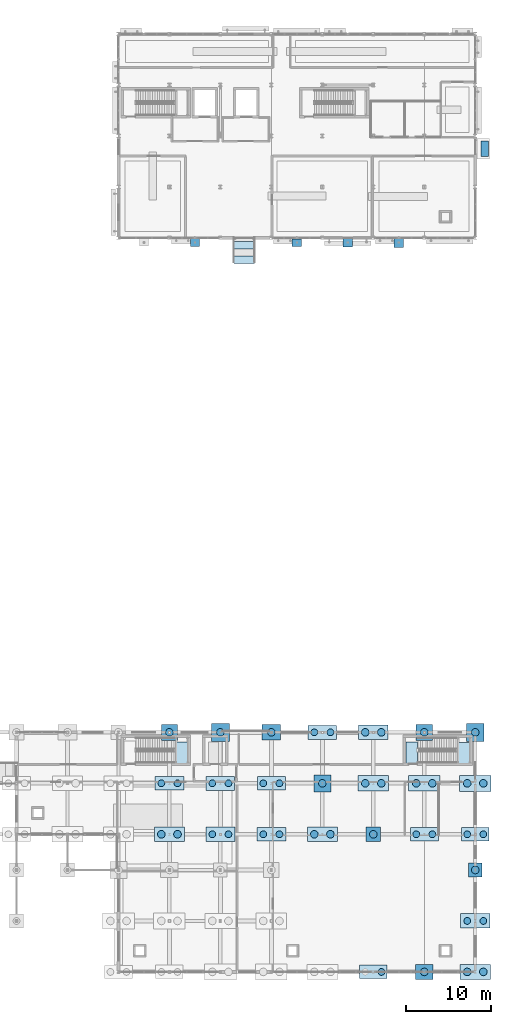
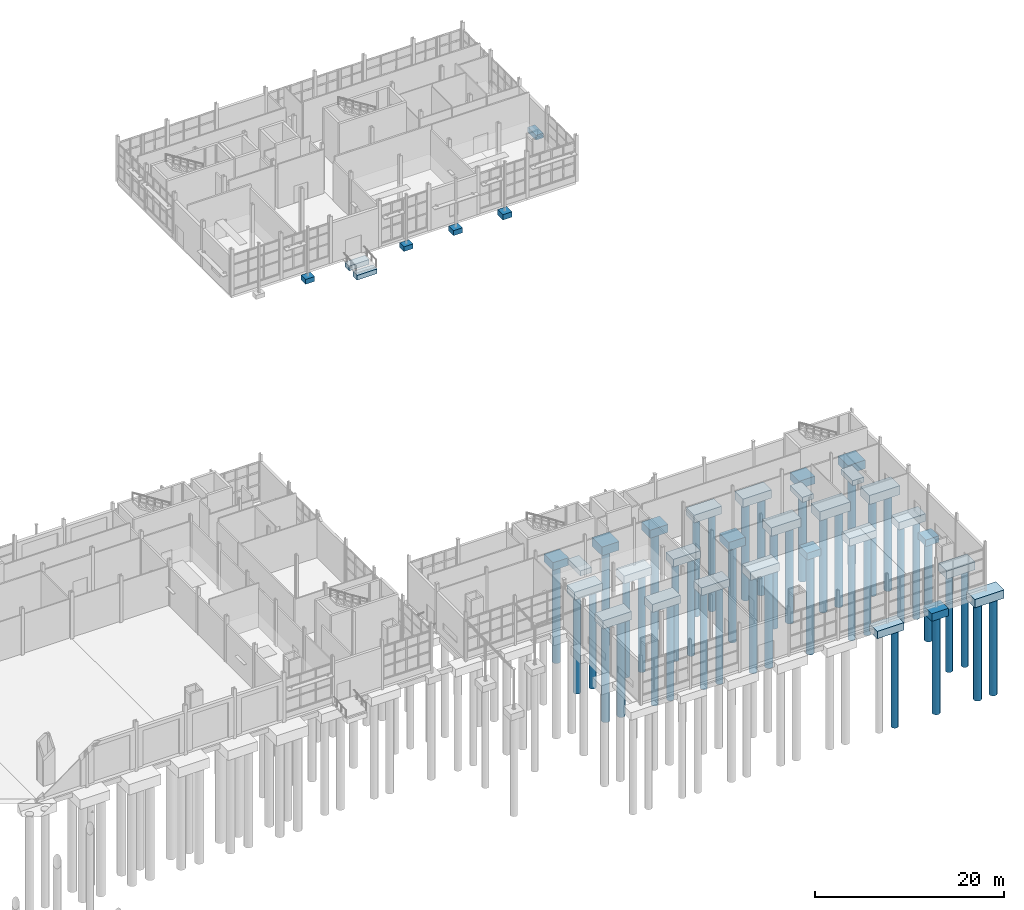
# One storey, part 7 of 120: 42 piles, 36 footings.
"""IFC4 building model written with IfcOpenShell, lengths in metres."""

from ifc_helpers import new_model, si_unit, direction, frame, origin, origin_2d, place, context, subcontext, project, spatial, rectangle, circle, extrude, material, material_profile, profile_set, type_object, element, save


model = new_model("IFC4")

# Units and contexts
model_context = context("Model", 3, precision=1e-05, world=origin(), true_north=direction((0.0, 1.0)))
body_context = subcontext(model_context, "Body", "Model", "MODEL_VIEW")
ifc_project = project(units=[si_unit("LENGTHUNIT", "METRE"), si_unit("AREAUNIT", "SQUARE_METRE"), si_unit("VOLUMEUNIT", "CUBIC_METRE"), si_unit("PLANEANGLEUNIT", "RADIAN"), si_unit("MASSUNIT", "GRAM", prefix="KILO")], contexts=[model_context])

# Site, building, storey
site_placement = place(None, origin())
site = spatial("IfcSite", under=ifc_project, at=site_placement, CompositionType="ELEMENT")
building_placement = place(site_placement, origin())
building = spatial("IfcBuilding", under=site, at=building_placement, Name="Siltcreek Boulevard Central Fire Station", CompositionType="ELEMENT")
storey_placement = place(building_placement, origin())
storey = spatial("IfcBuildingStorey", under=building, at=storey_placement, Name="L01", CompositionType="ELEMENT", Elevation=0.0)

# Footings
ifc_material = material(Name="Concrete C35/45", Category="concrete")
footing_type_1 = type_object("IfcFootingType", Name="PC_160X160X084", PredefinedType="PILE_CAP", material=ifc_material)
footing_1_placement = place(storey_placement, frame((166.199951171875, 13.800048828125, -1.25), z_axis=(0.0, 0.0, 1.0), x_axis=(1.0, 0.0, 0.0)))
element("IfcFooting", 1, at=footing_1_placement, inside=storey, type_object=footing_type_1, Name="Reinforced concrete pile cap PC-213", PredefinedType="PILE_CAP", context=body_context, shape_type="SweptSolid", body=[
    extrude(rectangle(XDim=1.60009765625, YDim=1.60009765625, at=origin_2d()), origin(), (0.0, 0.0, 1.0), 0.840087890625),
])
footing_type_2 = type_object("IfcFootingType", Name="PC_170X170X088", PredefinedType="PILE_CAP", material=ifc_material)
footing_2_placement = place(storey_placement, frame((154.199951171875, 18.0, -1.2900390625), z_axis=(0.0, 0.0, 1.0), x_axis=(1.0, 0.0, 0.0)))
element("IfcFooting", 2, at=footing_2_placement, inside=storey, type_object=footing_type_2, Name="Reinforced concrete pile cap PC-204", PredefinedType="PILE_CAP", context=body_context, shape_type="SweptSolid", body=[
    extrude(rectangle(XDim=1.699951171875, YDim=1.699951171875, at=origin_2d()), origin(), (0.0, 0.0, 1.0), 0.8798828125),
])
footing_type_3 = type_object("IfcFootingType", Name="PC_190X190X100", PredefinedType="PILE_CAP", material=ifc_material)
for number, where, z_axis, x_axis, name in (
    (3, (130.199951171875, 30.0, -1.409912109375), (0.0, 0.0, 1.0), (1.0, 0.0, 0.0), "Reinforced concrete pile cap PC-186"),
    (4, (160.199951171875, 30.0, -1.409912109375), (0.0, 0.0, 1.0), (1.0, 0.0, 0.0), "Reinforced concrete pile cap PC-210"),
):
    element("IfcFooting", number, at=place(storey_placement, frame(where, z_axis=z_axis, x_axis=x_axis)), inside=storey, type_object=footing_type_3, Name=name, PredefinedType="PILE_CAP", context=body_context, shape_type="SweptSolid", body=[
        extrude(rectangle(XDim=1.89990234375, YDim=1.89990234375, at=origin_2d()), origin(), (0.0, 0.0, 1.0), 1.0),
    ])
footing_type_4 = type_object("IfcFootingType", Name="PC_200X200X106", PredefinedType="PILE_CAP", material=ifc_material)
footing_3_placement = place(storey_placement, frame((148.199951171875, 24.0, -1.469970703125), z_axis=(0.0, 0.0, 1.0), x_axis=(1.0, 0.0, 0.0)))
element("IfcFooting", 5, at=footing_3_placement, inside=storey, type_object=footing_type_4, Name="Reinforced concrete pile cap PC-201", PredefinedType="PILE_CAP", context=body_context, shape_type="SweptSolid", body=[
    extrude(rectangle(XDim=2.0, YDim=2.0, at=origin_2d()), origin(), (0.0, 0.0, 1.0), 1.06005859375),
])
footing_type_5 = type_object("IfcFootingType", Name="PC_205X175X098", PredefinedType="PILE_CAP", material=ifc_material)
footing_4_placement = place(storey_placement, frame((160.199951171875, 1.800048828125, -1.389892578125), z_axis=(0.0, 0.0, 1.0), x_axis=(1.0, 0.0, 0.0)))
element("IfcFooting", 6, at=footing_4_placement, inside=storey, type_object=footing_type_5, Name="Reinforced concrete pile cap PC-207", PredefinedType="PILE_CAP", context=body_context, shape_type="SweptSolid", body=[
    extrude(rectangle(XDim=2.050048828125, YDim=1.75, at=origin_2d()), origin(), (0.0, 0.0, 1.0), 0.97998046875),
])
footing_type_6 = type_object("IfcFootingType", Name="PC_210X210X112", PredefinedType="PILE_CAP", material=ifc_material)
for number, where, z_axis, x_axis, name in (
    (7, (136.199951171875, 30.0, -1.530029296875), (0.0, 0.0, 1.0), (1.0, 0.0, 0.0), "Reinforced concrete pile cap PC-192"),
    (8, (166.199951171875, 30.0, -1.530029296875), (0.0, 0.0, 1.0), (1.0, 0.0, 0.0), "Reinforced concrete pile cap PC-216"),
):
    element("IfcFooting", number, at=place(storey_placement, frame(where, z_axis=z_axis, x_axis=x_axis)), inside=storey, type_object=footing_type_6, Name=name, PredefinedType="PILE_CAP", context=body_context, shape_type="SweptSolid", body=[
        extrude(rectangle(XDim=2.10009765625, YDim=2.10009765625, at=origin_2d()), origin(), (0.0, 0.0, 1.0), 1.1201171875),
    ])
footing_type_7 = type_object("IfcFootingType", Name="PC_220X180X104", PredefinedType="PILE_CAP", material=ifc_material)
footing_5_placement = place(storey_placement, frame((142.199951171875, 30.0, -1.449951171875), z_axis=(0.0, 0.0, 1.0), x_axis=(1.0, 0.0, 0.0)))
element("IfcFooting", 9, at=footing_5_placement, inside=storey, type_object=footing_type_7, Name="Reinforced concrete pile cap PC-198", PredefinedType="PILE_CAP", context=body_context, shape_type="SweptSolid", body=[
    extrude(rectangle(XDim=2.199951171875, YDim=1.800048828125, at=origin_2d()), origin(), (0.0, 0.0, 1.0), 1.0400390625),
])
footing_type_8 = type_object("IfcFootingType", Name="PC_325X160X096", PredefinedType="PILE_CAP", material=ifc_material)
for number, where, z_axis, x_axis, name in (
    (10, (154.199951171875, 1.800048828125, -1.369873046875), (0.0, 0.0, 1.0), (1.0, 0.0, 0.0), "Reinforced concrete pile cap PC-203"),
    (11, (166.199951171875, 18.0, -1.369873046875), (0.0, 0.0, 1.0), (1.0, 0.0, 0.0), "Reinforced concrete pile cap PC-214"),
):
    element("IfcFooting", number, at=place(storey_placement, frame(where, z_axis=z_axis, x_axis=x_axis)), inside=storey, type_object=footing_type_8, Name=name, PredefinedType="PILE_CAP", context=body_context, shape_type="SweptSolid", body=[
        extrude(rectangle(XDim=3.25, YDim=1.60009765625, at=origin_2d()), origin(), (0.0, 0.0, 1.0), 0.9599609375),
    ])
footing_type_9 = type_object("IfcFootingType", Name="PC_330X155X098", PredefinedType="PILE_CAP", material=ifc_material)
for number, where, z_axis, x_axis, name in (
    (12, (142.199951171875, 24.0, -1.389892578125), (0.0, 0.0, 1.0), (1.0, 0.0, 0.0), "Reinforced concrete pile cap PC-197"),
    (13, (160.199951171875, 18.0, -1.389892578125), (0.0, 0.0, 1.0), (1.0, 0.0, 0.0), "Reinforced concrete pile cap PC-208"),
):
    element("IfcFooting", number, at=place(storey_placement, frame(where, z_axis=z_axis, x_axis=x_axis)), inside=storey, type_object=footing_type_9, Name=name, PredefinedType="PILE_CAP", context=body_context, shape_type="SweptSolid", body=[
        extrude(rectangle(XDim=3.300048828125, YDim=1.550048828125, at=origin_2d()), origin(), (0.0, 0.0, 1.0), 0.97998046875),
    ])
footing_type_10 = type_object("IfcFootingType", Name="PC_335X165X100", PredefinedType="PILE_CAP", material=ifc_material)
for number, where, z_axis, x_axis, name in (
    (14, (136.199951171875, 24.0, -1.409912109375), (0.0, 0.0, 1.0), (1.0, 0.0, 0.0), "Reinforced concrete pile cap PC-191"),
    (15, (148.199951171875, 30.0, -1.409912109375), (0.0, 0.0, 1.0), (1.0, 0.0, 0.0), "Reinforced concrete pile cap PC-202"),
):
    element("IfcFooting", number, at=place(storey_placement, frame(where, z_axis=z_axis, x_axis=x_axis)), inside=storey, type_object=footing_type_10, Name=name, PredefinedType="PILE_CAP", context=body_context, shape_type="SweptSolid", body=[
        extrude(rectangle(XDim=3.35009765625, YDim=1.64990234375, at=origin_2d()), origin(), (0.0, 0.0, 1.0), 1.0),
    ])
footing_type_11 = type_object("IfcFootingType", Name="PC_340X160X102", PredefinedType="PILE_CAP", material=ifc_material)
for number, where, z_axis, x_axis, name in (
    (16, (130.199951171875, 24.0, -1.429931640625), (0.0, 0.0, 1.0), (1.0, 0.0, 0.0), "Reinforced concrete pile cap PC-185"),
    (17, (142.199951171875, 18.0, -1.429931640625), (0.0, 0.0, 1.0), (1.0, 0.0, 0.0), "Reinforced concrete pile cap PC-196"),
):
    element("IfcFooting", number, at=place(storey_placement, frame(where, z_axis=z_axis, x_axis=x_axis)), inside=storey, type_object=footing_type_11, Name=name, PredefinedType="PILE_CAP", context=body_context, shape_type="SweptSolid", body=[
        extrude(rectangle(XDim=3.39990234375, YDim=1.60009765625, at=origin_2d()), origin(), (0.0, 0.0, 1.0), 1.02001953125),
    ])
footing_type_12 = type_object("IfcFootingType", Name="PC_345X170X104", PredefinedType="PILE_CAP", material=ifc_material)
for number, where, z_axis, x_axis, name in (
    (18, (136.199951171875, 18.0, -1.449951171875), (0.0, 0.0, 1.0), (1.0, 0.0, 0.0), "Reinforced concrete pile cap PC-190"),
    (19, (166.199951171875, 7.800048828125, -1.449951171875), (0.0, 0.0, 1.0), (1.0, 0.0, 0.0), "Reinforced concrete pile cap PC-212"),
):
    element("IfcFooting", number, at=place(storey_placement, frame(where, z_axis=z_axis, x_axis=x_axis)), inside=storey, type_object=footing_type_12, Name=name, PredefinedType="PILE_CAP", context=body_context, shape_type="SweptSolid", body=[
        extrude(rectangle(XDim=3.449951171875, YDim=1.699951171875, at=origin_2d()), origin(), (0.0, 0.0, 1.0), 1.0400390625),
    ])
footing_type_13 = type_object("IfcFootingType", Name="PC_350X170X106", PredefinedType="PILE_CAP", material=ifc_material)
for number, where, z_axis, x_axis, name in (
    (20, (130.199951171875, 18.0, -1.469970703125), (0.0, 0.0, 1.0), (1.0, 0.0, 0.0), "Reinforced concrete pile cap PC-184"),
    (21, (154.199951171875, 30.0, -1.469970703125), (0.0, 0.0, 1.0), (1.0, 0.0, 0.0), "Reinforced concrete pile cap PC-206"),
):
    element("IfcFooting", number, at=place(storey_placement, frame(where, z_axis=z_axis, x_axis=x_axis)), inside=storey, type_object=footing_type_13, Name=name, PredefinedType="PILE_CAP", context=body_context, shape_type="SweptSolid", body=[
        extrude(rectangle(XDim=3.5, YDim=1.699951171875, at=origin_2d()), origin(), (0.0, 0.0, 1.0), 1.06005859375),
    ])
footing_type_14 = type_object("IfcFootingType", Name="PC_355X175X108", PredefinedType="PILE_CAP", material=ifc_material)
for number, where, z_axis, x_axis, name in (
    (22, (148.199951171875, 18.0, -1.489990234375), (0.0, 0.0, 1.0), (1.0, 0.0, 0.0), "Reinforced concrete pile cap PC-200"),
    (23, (166.199951171875, 1.800048828125, -1.489990234375), (0.0, 0.0, 1.0), (1.0, 0.0, 0.0), "Reinforced concrete pile cap PC-211"),
):
    element("IfcFooting", number, at=place(storey_placement, frame(where, z_axis=z_axis, x_axis=x_axis)), inside=storey, type_object=footing_type_14, Name=name, PredefinedType="PILE_CAP", context=body_context, shape_type="SweptSolid", body=[
        extrude(rectangle(XDim=3.550048828125, YDim=1.75, at=origin_2d()), origin(), (0.0, 0.0, 1.0), 1.080078125),
    ])
footing_type_15 = type_object("IfcFootingType", Name="PC_360X185X110", PredefinedType="PILE_CAP", material=ifc_material)
footing_6_placement = place(storey_placement, frame((154.199951171875, 24.0, -1.510009765625), z_axis=(0.0, 0.0, 1.0), x_axis=(1.0, 0.0, 0.0)))
element("IfcFooting", 24, at=footing_6_placement, inside=storey, type_object=footing_type_15, Name="Reinforced concrete pile cap PC-205", PredefinedType="PILE_CAP", context=body_context, shape_type="SweptSolid", body=[
    extrude(rectangle(XDim=3.60009765625, YDim=1.85009765625, at=origin_2d()), origin(), (0.0, 0.0, 1.0), 1.10009765625),
])
footing_type_16 = type_object("IfcFootingType", Name="PC_370X190X116", PredefinedType="PILE_CAP", material=ifc_material)
footing_7_placement = place(storey_placement, frame((166.199951171875, 24.0, -1.56982421875), z_axis=(0.0, 0.0, 1.0), x_axis=(1.0, 0.0, 0.0)))
element("IfcFooting", 25, at=footing_7_placement, inside=storey, type_object=footing_type_16, Name="Reinforced concrete pile cap PC-215", PredefinedType="PILE_CAP", context=body_context, shape_type="SweptSolid", body=[
    extrude(rectangle(XDim=3.699951171875, YDim=1.89990234375, at=origin_2d()), origin(), (0.0, 0.0, 1.0), 1.159912109375),
])
footing_type_17 = type_object("IfcFootingType", Name="PC_375X185X118", PredefinedType="PILE_CAP", material=ifc_material)
footing_8_placement = place(storey_placement, frame((160.199951171875, 24.0, -1.58984375), z_axis=(0.0, 0.0, 1.0), x_axis=(1.0, 0.0, 0.0)))
element("IfcFooting", 26, at=footing_8_placement, inside=storey, type_object=footing_type_17, Name="Reinforced concrete pile cap PC-209", PredefinedType="PILE_CAP", context=body_context, shape_type="SweptSolid", body=[
    extrude(rectangle(XDim=3.75, YDim=1.85009765625, at=origin_2d()), origin(), (0.0, 0.0, 1.0), 1.179931640625),
])

# Piles
ifc_material_profile_1 = material_profile(ifc_material, circle(Radius=0.39990234375, at=origin_2d()), Name="SHAFT800")
ifc_profile_set_1 = profile_set([ifc_material_profile_1], Name="Concrete C35/45")
pile_type_1 = type_object("IfcPileType", Name="PILE_D800", PredefinedType="BORED", material=ifc_profile_set_1)
for number, where, z_axis, x_axis, name in (
    (27, (129.25, 24.0, -1.330078125), (0.0, 0.0, -1.0), (1.0, 0.0, 0.0), "Bored concrete pile 351 in Vashon till"),
    (28, (131.14990234375, 24.0, -1.330078125), (0.0, 0.0, -1.0), (1.0, 0.0, 0.0), "Bored concrete pile 352 in Vashon till"),
):
    element("IfcPile", number, at=place(storey_placement, frame(where, z_axis=z_axis, x_axis=x_axis)), inside=storey, type_object=pile_type_1, Name=name, PredefinedType="BORED", context=body_context, shape_type="SweptSolid", body=[
        extrude(circle(Radius=0.39990234375, at=origin_2d()), origin(), (0.0, 0.0, 1.0), 12.669921875),
    ])
for number, where, z_axis, x_axis, name in (
    (29, (135.25, 18.0, -1.35009765625), (0.0, 0.0, -1.0), (1.0, 0.0, 0.0), "Bored concrete pile 359 in Vashon till"),
    (30, (137.14990234375, 18.0, -1.35009765625), (0.0, 0.0, -1.0), (1.0, 0.0, 0.0), "Bored concrete pile 360 in Vashon till"),
):
    element("IfcPile", number, at=place(storey_placement, frame(where, z_axis=z_axis, x_axis=x_axis)), inside=storey, type_object=pile_type_1, Name=name, PredefinedType="BORED", context=body_context, shape_type="SweptSolid", body=[
        extrude(circle(Radius=0.39990234375, at=origin_2d()), origin(), (0.0, 0.0, 1.0), 12.64990234375),
    ])
for number, where, z_axis, x_axis, name in (
    (31, (135.25, 24.0, -1.31005859375), (0.0, 0.0, -1.0), (1.0, 0.0, 0.0), "Bored concrete pile 361 in Vashon till"),
    (32, (137.14990234375, 24.0, -1.31005859375), (0.0, 0.0, -1.0), (1.0, 0.0, 0.0), "Bored concrete pile 362 in Vashon till"),
):
    element("IfcPile", number, at=place(storey_placement, frame(where, z_axis=z_axis, x_axis=x_axis)), inside=storey, type_object=pile_type_1, Name=name, PredefinedType="BORED", context=body_context, shape_type="SweptSolid", body=[
        extrude(circle(Radius=0.39990234375, at=origin_2d()), origin(), (0.0, 0.0, 1.0), 12.68994140625),
    ])
for number, where, z_axis, x_axis, name in (
    (33, (141.25, 18.0, -1.330078125), (0.0, 0.0, -1.0), (1.0, 0.0, 0.0), "Bored concrete pile 369 in Vashon till"),
    (34, (143.14990234375, 18.0, -1.330078125), (0.0, 0.0, -1.0), (1.0, 0.0, 0.0), "Bored concrete pile 370 in Vashon till"),
):
    element("IfcPile", number, at=place(storey_placement, frame(where, z_axis=z_axis, x_axis=x_axis)), inside=storey, type_object=pile_type_1, Name=name, PredefinedType="BORED", context=body_context, shape_type="SweptSolid", body=[
        extrude(circle(Radius=0.39990234375, at=origin_2d()), origin(), (0.0, 0.0, 1.0), 12.669921875),
    ])
for number, where, z_axis, x_axis, name in (
    (35, (141.25, 24.0, -1.2900390625), (0.0, 0.0, -1.0), (1.0, 0.0, 0.0), "Bored concrete pile 371 in Vashon till"),
    (36, (143.14990234375, 24.0, -1.2900390625), (0.0, 0.0, -1.0), (1.0, 0.0, 0.0), "Bored concrete pile 372 in Vashon till"),
):
    element("IfcPile", number, at=place(storey_placement, frame(where, z_axis=z_axis, x_axis=x_axis)), inside=storey, type_object=pile_type_1, Name=name, PredefinedType="BORED", context=body_context, shape_type="SweptSolid", body=[
        extrude(circle(Radius=0.39990234375, at=origin_2d()), origin(), (0.0, 0.0, 1.0), 12.7099609375),
    ])
for number, where, z_axis, x_axis, name in (
    (37, (147.25, 30.0, -1.31005859375), (0.0, 0.0, -1.0), (1.0, 0.0, 0.0), "Bored concrete pile 379 in Vashon till"),
    (38, (149.14990234375, 30.0, -1.31005859375), (0.0, 0.0, -1.0), (1.0, 0.0, 0.0), "Bored concrete pile 380 in Vashon till"),
):
    element("IfcPile", number, at=place(storey_placement, frame(where, z_axis=z_axis, x_axis=x_axis)), inside=storey, type_object=pile_type_1, Name=name, PredefinedType="BORED", context=body_context, shape_type="SweptSolid", body=[
        extrude(circle(Radius=0.39990234375, at=origin_2d()), origin(), (0.0, 0.0, 1.0), 12.68994140625),
    ])
pile_1_placement = place(storey_placement, frame((155.14990234375, 1.800048828125, -1.27001953125), z_axis=(0.0, 0.0, -1.0), x_axis=(1.0, 0.0, 0.0)))
element("IfcPile", 39, at=pile_1_placement, inside=storey, type_object=pile_type_1, Name="Bored concrete pile 382 in Vashon till", PredefinedType="BORED", context=body_context, shape_type="SweptSolid", body=[
    extrude(circle(Radius=0.39990234375, at=origin_2d()), origin(), (0.0, 0.0, 1.0), 12.72998046875),
])
for number, where, z_axis, x_axis, name in (
    (40, (159.25, 18.0, -1.2900390625), (0.0, 0.0, -1.0), (1.0, 0.0, 0.0), "Bored concrete pile 389 in Vashon till"),
    (41, (161.14990234375, 18.0, -1.2900390625), (0.0, 0.0, -1.0), (1.0, 0.0, 0.0), "Bored concrete pile 390 in Vashon till"),
):
    element("IfcPile", number, at=place(storey_placement, frame(where, z_axis=z_axis, x_axis=x_axis)), inside=storey, type_object=pile_type_1, Name=name, PredefinedType="BORED", context=body_context, shape_type="SweptSolid", body=[
        extrude(circle(Radius=0.39990234375, at=origin_2d()), origin(), (0.0, 0.0, 1.0), 12.7099609375),
    ])
for number, where, z_axis, x_axis, name in (
    (42, (165.25, 7.800048828125, -1.35009765625), (0.0, 0.0, -1.0), (1.0, 0.0, 0.0), "Bored concrete pile 396 in Vashon till"),
    (43, (167.14990234375, 7.800048828125, -1.35009765625), (0.0, 0.0, -1.0), (1.0, 0.0, 0.0), "Bored concrete pile 397 in Vashon till"),
):
    element("IfcPile", number, at=place(storey_placement, frame(where, z_axis=z_axis, x_axis=x_axis)), inside=storey, type_object=pile_type_1, Name=name, PredefinedType="BORED", context=body_context, shape_type="SweptSolid", body=[
        extrude(circle(Radius=0.39990234375, at=origin_2d()), origin(), (0.0, 0.0, 1.0), 12.64990234375),
    ])
for number, where, z_axis, x_axis, name in (
    (44, (165.25, 18.0, -1.27001953125), (0.0, 0.0, -1.0), (1.0, 0.0, 0.0), "Bored concrete pile 399 in Vashon till"),
    (45, (167.14990234375, 18.0, -1.27001953125), (0.0, 0.0, -1.0), (1.0, 0.0, 0.0), "Bored concrete pile 400 in Vashon till"),
):
    element("IfcPile", number, at=place(storey_placement, frame(where, z_axis=z_axis, x_axis=x_axis)), inside=storey, type_object=pile_type_1, Name=name, PredefinedType="BORED", context=body_context, shape_type="SweptSolid", body=[
        extrude(circle(Radius=0.39990234375, at=origin_2d()), origin(), (0.0, 0.0, 1.0), 12.72998046875),
    ])
ifc_material_profile_2 = material_profile(ifc_material, circle(Radius=0.449951171875, at=origin_2d()), Name="SHAFT900")
ifc_profile_set_2 = profile_set([ifc_material_profile_2], Name="Concrete C35/45")
pile_type_2 = type_object("IfcPileType", Name="PILE_D900", PredefinedType="BORED", material=ifc_profile_set_2)
for number, where, z_axis, x_axis, name in (
    (46, (129.25, 18.0, -1.3701171875), (0.0, 0.0, -1.0), (1.0, 0.0, 0.0), "Bored concrete pile 349 in Vashon till"),
    (47, (131.14990234375, 18.0, -1.3701171875), (0.0, 0.0, -1.0), (1.0, 0.0, 0.0), "Bored concrete pile 350 in Vashon till"),
):
    element("IfcPile", number, at=place(storey_placement, frame(where, z_axis=z_axis, x_axis=x_axis)), inside=storey, type_object=pile_type_2, Name=name, PredefinedType="BORED", context=body_context, shape_type="SweptSolid", body=[
        extrude(circle(Radius=0.449951171875, at=origin_2d()), origin(), (0.0, 0.0, 1.0), 12.6298828125),
    ])
pile_2_placement = place(storey_placement, frame((130.199951171875, 30.0, -1.31005859375), z_axis=(0.0, 0.0, -1.0), x_axis=(1.0, 0.0, 0.0)))
element("IfcPile", 48, at=pile_2_placement, inside=storey, type_object=pile_type_2, Name="Bored concrete pile 353 in Vashon till", PredefinedType="BORED", context=body_context, shape_type="SweptSolid", body=[
    extrude(circle(Radius=0.449951171875, at=origin_2d()), origin(), (0.0, 0.0, 1.0), 12.68994140625),
])
pile_3_placement = place(storey_placement, frame((136.199951171875, 30.0, -1.429931640625), z_axis=(0.0, 0.0, -1.0), x_axis=(1.0, 0.0, 0.0)))
element("IfcPile", 49, at=pile_3_placement, inside=storey, type_object=pile_type_2, Name="Bored concrete pile 363 in Vashon till", PredefinedType="BORED", context=body_context, shape_type="SweptSolid", body=[
    extrude(circle(Radius=0.449951171875, at=origin_2d()), origin(), (0.0, 0.0, 1.0), 12.570068359375),
])
pile_4_placement = place(storey_placement, frame((142.199951171875, 30.0, -1.35009765625), z_axis=(0.0, 0.0, -1.0), x_axis=(1.0, 0.0, 0.0)))
element("IfcPile", 50, at=pile_4_placement, inside=storey, type_object=pile_type_2, Name="Bored concrete pile 373 in Vashon till", PredefinedType="BORED", context=body_context, shape_type="SweptSolid", body=[
    extrude(circle(Radius=0.449951171875, at=origin_2d()), origin(), (0.0, 0.0, 1.0), 12.64990234375),
])
for number, where, z_axis, x_axis, name in (
    (51, (147.25, 18.0, -1.389892578125), (0.0, 0.0, -1.0), (1.0, 0.0, 0.0), "Bored concrete pile 376 in Vashon till"),
    (52, (149.14990234375, 18.0, -1.389892578125), (0.0, 0.0, -1.0), (1.0, 0.0, 0.0), "Bored concrete pile 377 in Vashon till"),
):
    element("IfcPile", number, at=place(storey_placement, frame(where, z_axis=z_axis, x_axis=x_axis)), inside=storey, type_object=pile_type_2, Name=name, PredefinedType="BORED", context=body_context, shape_type="SweptSolid", body=[
        extrude(circle(Radius=0.449951171875, at=origin_2d()), origin(), (0.0, 0.0, 1.0), 12.610107421875),
    ])
pile_5_placement = place(storey_placement, frame((148.199951171875, 24.0, -1.3701171875), z_axis=(0.0, 0.0, -1.0), x_axis=(1.0, 0.0, 0.0)))
element("IfcPile", 53, at=pile_5_placement, inside=storey, type_object=pile_type_2, Name="Bored concrete pile 378 in Vashon till", PredefinedType="BORED", context=body_context, shape_type="SweptSolid", body=[
    extrude(circle(Radius=0.449951171875, at=origin_2d()), origin(), (0.0, 0.0, 1.0), 12.6298828125),
])
pile_6_placement = place(storey_placement, frame((154.199951171875, 18.0, -1.18994140625), z_axis=(0.0, 0.0, -1.0), x_axis=(1.0, 0.0, 0.0)))
element("IfcPile", 54, at=pile_6_placement, inside=storey, type_object=pile_type_2, Name="Bored concrete pile 383 in Vashon till", PredefinedType="BORED", context=body_context, shape_type="SweptSolid", body=[
    extrude(circle(Radius=0.449951171875, at=origin_2d()), origin(), (0.0, 0.0, 1.0), 12.81005859375),
])
for number, where, z_axis, x_axis, name in (
    (55, (153.25, 24.0, -1.409912109375), (0.0, 0.0, -1.0), (1.0, 0.0, 0.0), "Bored concrete pile 384 in Vashon till"),
    (56, (155.14990234375, 24.0, -1.409912109375), (0.0, 0.0, -1.0), (1.0, 0.0, 0.0), "Bored concrete pile 385 in Vashon till"),
):
    element("IfcPile", number, at=place(storey_placement, frame(where, z_axis=z_axis, x_axis=x_axis)), inside=storey, type_object=pile_type_2, Name=name, PredefinedType="BORED", context=body_context, shape_type="SweptSolid", body=[
        extrude(circle(Radius=0.449951171875, at=origin_2d()), origin(), (0.0, 0.0, 1.0), 12.590087890625),
    ])
for number, where, z_axis, x_axis, name in (
    (57, (153.25, 30.0, -1.3701171875), (0.0, 0.0, -1.0), (1.0, 0.0, 0.0), "Bored concrete pile 386 in Vashon till"),
    (58, (155.14990234375, 30.0, -1.3701171875), (0.0, 0.0, -1.0), (1.0, 0.0, 0.0), "Bored concrete pile 387 in Vashon till"),
):
    element("IfcPile", number, at=place(storey_placement, frame(where, z_axis=z_axis, x_axis=x_axis)), inside=storey, type_object=pile_type_2, Name=name, PredefinedType="BORED", context=body_context, shape_type="SweptSolid", body=[
        extrude(circle(Radius=0.449951171875, at=origin_2d()), origin(), (0.0, 0.0, 1.0), 12.6298828125),
    ])
pile_7_placement = place(storey_placement, frame((160.199951171875, 1.800048828125, -1.2900390625), z_axis=(0.0, 0.0, -1.0), x_axis=(1.0, 0.0, 0.0)))
element("IfcPile", 59, at=pile_7_placement, inside=storey, type_object=pile_type_2, Name="Bored concrete pile 388 in Vashon till", PredefinedType="BORED", context=body_context, shape_type="SweptSolid", body=[
    extrude(circle(Radius=0.449951171875, at=origin_2d()), origin(), (0.0, 0.0, 1.0), 12.7099609375),
])
for number, where, z_axis, x_axis, name in (
    (60, (159.25, 24.0, -1.489990234375), (0.0, 0.0, -1.0), (1.0, 0.0, 0.0), "Bored concrete pile 391 in Vashon till"),
    (61, (161.14990234375, 24.0, -1.489990234375), (0.0, 0.0, -1.0), (1.0, 0.0, 0.0), "Bored concrete pile 392 in Vashon till"),
):
    element("IfcPile", number, at=place(storey_placement, frame(where, z_axis=z_axis, x_axis=x_axis)), inside=storey, type_object=pile_type_2, Name=name, PredefinedType="BORED", context=body_context, shape_type="SweptSolid", body=[
        extrude(circle(Radius=0.449951171875, at=origin_2d()), origin(), (0.0, 0.0, 1.0), 12.510009765625),
    ])
pile_8_placement = place(storey_placement, frame((160.199951171875, 30.0, -1.31005859375), z_axis=(0.0, 0.0, -1.0), x_axis=(1.0, 0.0, 0.0)))
element("IfcPile", 62, at=pile_8_placement, inside=storey, type_object=pile_type_2, Name="Bored concrete pile 393 in Vashon till", PredefinedType="BORED", context=body_context, shape_type="SweptSolid", body=[
    extrude(circle(Radius=0.449951171875, at=origin_2d()), origin(), (0.0, 0.0, 1.0), 12.68994140625),
])
for number, where, z_axis, x_axis, name in (
    (63, (165.25, 1.800048828125, -1.389892578125), (0.0, 0.0, -1.0), (1.0, 0.0, 0.0), "Bored concrete pile 394 in Vashon till"),
    (64, (167.14990234375, 1.800048828125, -1.389892578125), (0.0, 0.0, -1.0), (1.0, 0.0, 0.0), "Bored concrete pile 395 in Vashon till"),
):
    element("IfcPile", number, at=place(storey_placement, frame(where, z_axis=z_axis, x_axis=x_axis)), inside=storey, type_object=pile_type_2, Name=name, PredefinedType="BORED", context=body_context, shape_type="SweptSolid", body=[
        extrude(circle(Radius=0.449951171875, at=origin_2d()), origin(), (0.0, 0.0, 1.0), 12.610107421875),
    ])
pile_9_placement = place(storey_placement, frame((166.199951171875, 13.800048828125, -1.14990234375), z_axis=(0.0, 0.0, -1.0), x_axis=(1.0, 0.0, 0.0)))
element("IfcPile", 65, at=pile_9_placement, inside=storey, type_object=pile_type_2, Name="Bored concrete pile 398 in Vashon till", PredefinedType="BORED", context=body_context, shape_type="SweptSolid", body=[
    extrude(circle(Radius=0.449951171875, at=origin_2d()), origin(), (0.0, 0.0, 1.0), 12.85009765625),
])
for number, where, z_axis, x_axis, name in (
    (66, (165.25, 24.0, -1.469970703125), (0.0, 0.0, -1.0), (1.0, 0.0, 0.0), "Bored concrete pile 401 in Vashon till"),
    (67, (167.14990234375, 24.0, -1.469970703125), (0.0, 0.0, -1.0), (1.0, 0.0, 0.0), "Bored concrete pile 402 in Vashon till"),
):
    element("IfcPile", number, at=place(storey_placement, frame(where, z_axis=z_axis, x_axis=x_axis)), inside=storey, type_object=pile_type_2, Name=name, PredefinedType="BORED", context=body_context, shape_type="SweptSolid", body=[
        extrude(circle(Radius=0.449951171875, at=origin_2d()), origin(), (0.0, 0.0, 1.0), 12.530029296875),
    ])
pile_10_placement = place(storey_placement, frame((166.199951171875, 30.0, -1.429931640625), z_axis=(0.0, 0.0, -1.0), x_axis=(1.0, 0.0, 0.0)))
element("IfcPile", 68, at=pile_10_placement, inside=storey, type_object=pile_type_2, Name="Bored concrete pile 403 in Vashon till", PredefinedType="BORED", context=body_context, shape_type="SweptSolid", body=[
    extrude(circle(Radius=0.449951171875, at=origin_2d()), origin(), (0.0, 0.0, 1.0), 12.570068359375),
])

# Footings
footing_type_18 = type_object("IfcFootingType", Name="SF_1000X650", PredefinedType="STRIP_FOOTING", material=ifc_material)
footing_9_placement = place(storey_placement, frame((151.199951171875, 87.64990234375, -1.0), z_axis=(0.0, 0.0, 1.0), x_axis=(1.0, 0.0, 0.0)))
element("IfcFooting", 69, at=footing_9_placement, inside=storey, type_object=footing_type_18, Name="Perimeter strip footing SF-19", PredefinedType="STRIP_FOOTING", context=body_context, shape_type="SweptSolid", body=[
    extrude(rectangle(XDim=1.10009765625, YDim=1.0, at=origin_2d()), origin(), (0.0, 0.0, 1.0), 0.64990234375),
])
for number, where, z_axis, x_axis, name in (
    (70, (131.659912109375, 27.594970703125, -1.06005859375), (0.0, 0.0, 1.0), (1.0, 0.0, 0.0), "Stair ST-V6A E foundation strip footing"),
    (71, (158.719970703125, 27.594970703125, -1.06005859375), (0.0, 0.0, 1.0), (1.0, 0.0, 0.0), "Stair ST-V6B W foundation strip footing"),
):
    element("IfcFooting", number, at=place(storey_placement, frame(where, z_axis=z_axis, x_axis=x_axis)), inside=storey, type_object=footing_type_18, Name=name, PredefinedType="STRIP_FOOTING", context=body_context, shape_type="SweptSolid", body=[
        extrude(rectangle(XDim=1.35009765625, YDim=2.590087890625, at=origin_2d()), origin(), (0.0, 0.0, 1.0), 0.64990234375),
    ])
footing_10_placement = place(storey_placement, frame((164.860107421875, 27.544921875, -1.06005859375), z_axis=(0.0, 0.0, 1.0), x_axis=(1.0, 0.0, 0.0)))
element("IfcFooting", 72, at=footing_10_placement, inside=storey, type_object=footing_type_18, Name="Stair ST-V6B E foundation strip footing", PredefinedType="STRIP_FOOTING", context=body_context, shape_type="SweptSolid", body=[
    extrude(rectangle(XDim=1.35009765625, YDim=2.489990234375, at=origin_2d()), origin(), (0.0, 0.0, 1.0), 0.64990234375),
])
footing_type_19 = type_object("IfcFootingType", Name="SF_1100X700", PredefinedType="STRIP_FOOTING", material=ifc_material)
footing_11_placement = place(storey_placement, frame((157.199951171875, 87.64990234375, -1.0498046875), z_axis=(0.0, 0.0, 1.0), x_axis=(1.0, 0.0, 0.0)))
element("IfcFooting", 73, at=footing_11_placement, inside=storey, type_object=footing_type_19, Name="Perimeter strip footing SF-20", PredefinedType="STRIP_FOOTING", context=body_context, shape_type="SweptSolid", body=[
    extrude(rectangle(XDim=1.10009765625, YDim=1.10009765625, at=origin_2d()), origin(), (0.0, 0.0, 1.0), 0.699951171875),
])
footing_type_20 = type_object("IfcFootingType", Name="SF_900X600", PredefinedType="STRIP_FOOTING", material=ifc_material)
footing_12_placement = place(storey_placement, frame((145.199951171875, 87.64990234375, -0.949951171875), z_axis=(0.0, 0.0, 1.0), x_axis=(1.0, 0.0, 0.0)))
element("IfcFooting", 74, at=footing_12_placement, inside=storey, type_object=footing_type_20, Name="Perimeter strip footing SF-18", PredefinedType="STRIP_FOOTING", context=body_context, shape_type="SweptSolid", body=[
    extrude(rectangle(XDim=1.10009765625, YDim=0.89990234375, at=origin_2d()), origin(), (0.0, 0.0, 1.0), 0.60009765625),
])
footing_13_placement = place(storey_placement, frame((167.320068359375, 98.699951171875, -0.81005859375), z_axis=(0.0, 0.0, 1.0), x_axis=(1.0, 0.0, 0.0)))
element("IfcFooting", 75, at=footing_13_placement, inside=storey, type_object=footing_type_20, Name="Exterior exit landing strip footing SF-V5E", PredefinedType="STRIP_FOOTING", context=body_context, shape_type="SweptSolid", body=[
    extrude(rectangle(XDim=0.89990234375, YDim=1.800048828125, at=origin_2d()), origin(), (0.0, 0.0, 1.0), 0.60009765625),
])
for number, where, z_axis, x_axis, name in (
    (76, (139.0, 85.6298828125, -1.02001953125), (0.0, 0.0, 1.0), (0.0, 1.0, 0.0), "Accessible ramp RM-04 bot strip footing"),
    (77, (139.0, 87.340087890625, -0.856689453125), (0.0, 0.0, 1.0), (0.0, 1.0, 0.0), "Accessible ramp RM-04 top strip footing"),
):
    element("IfcFooting", number, at=place(storey_placement, frame(where, z_axis=z_axis, x_axis=x_axis)), inside=storey, type_object=footing_type_20, Name=name, PredefinedType="STRIP_FOOTING", context=body_context, shape_type="SweptSolid", body=[
        extrude(rectangle(XDim=0.89990234375, YDim=2.449951171875, at=origin_2d()), origin(), (0.0, 0.0, 1.0), 0.60009765625),
    ])
footing_type_21 = type_object("IfcFootingType", Name="SF_950X620", PredefinedType="STRIP_FOOTING", material=ifc_material)
footing_14_placement = place(storey_placement, frame((133.199951171875, 87.64990234375, -0.969970703125), z_axis=(0.0, 0.0, 1.0), x_axis=(1.0, 0.0, 0.0)))
element("IfcFooting", 78, at=footing_14_placement, inside=storey, type_object=footing_type_21, Name="Perimeter strip footing SF-17", PredefinedType="STRIP_FOOTING", context=body_context, shape_type="SweptSolid", body=[
    extrude(rectangle(XDim=1.10009765625, YDim=0.949951171875, at=origin_2d()), origin(), (0.0, 0.0, 1.0), 0.6201171875),
])

save(model, "model.ifc")
